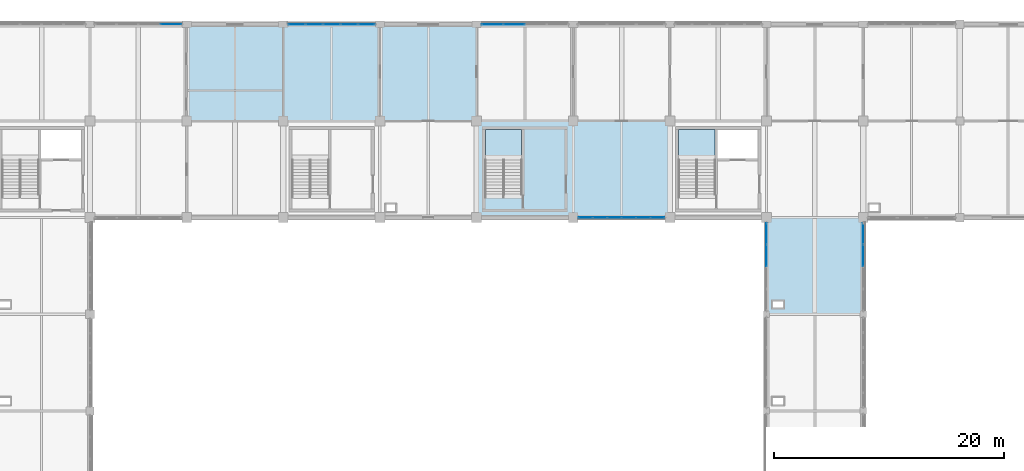
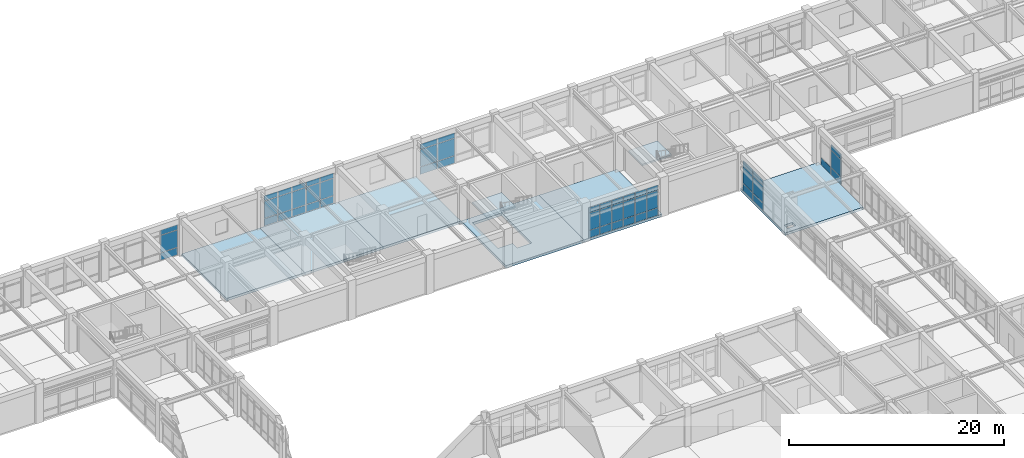
# One storey, part 52 of 78: 52 plates, 8 slabs, 8 elements without a shape of their own.
"""IFC4 building model written with IfcOpenShell, lengths in metres."""

from ifc_helpers import new_model, si_unit, direction, frame, origin, origin_2d, place, context, subcontext, project, spatial, polyline, rectangle, outline, extrude, material, layer, layer_set, type_object, element, aggregate, save


model = new_model("IFC4")

# Units and contexts
model_context = context("Model", 3, precision=1e-05, world=origin(), true_north=direction((0.0, 1.0)))
body_context = subcontext(model_context, "Body", "Model", "MODEL_VIEW")
ifc_project = project(units=[si_unit("LENGTHUNIT", "METRE"), si_unit("AREAUNIT", "SQUARE_METRE"), si_unit("VOLUMEUNIT", "CUBIC_METRE"), si_unit("PLANEANGLEUNIT", "RADIAN"), si_unit("MASSUNIT", "GRAM", prefix="KILO")], contexts=[model_context])

# Site, building, storey
site_placement = place(None, origin())
site = spatial("IfcSite", under=ifc_project, at=site_placement, CompositionType="ELEMENT")
building_placement = place(site_placement, origin())
building = spatial("IfcBuilding", under=site, at=building_placement, Name="Porcellanite Civic Hall", CompositionType="ELEMENT")
storey_placement = place(building_placement, frame((0.0, 0.0, 10.260009765625)))
storey = spatial("IfcBuildingStorey", under=building, at=storey_placement, Name="L02", CompositionType="ELEMENT", Elevation=10.260009765625)

# Curtain wall, plates
ifc_material_1 = material(Name="Anodised aluminium and solar laminated glass", Category="aluminium")
ifc_layer_1 = layer(ifc_material_1, 0.179931640625)
ifc_layer_set_1 = layer_set([ifc_layer_1], Name="Anodised aluminium and solar laminated glass")
curtain_wall_type_1 = type_object("IfcCurtainWallType", Name="CW-SYS06", PredefinedType="NOTDEFINED", material=ifc_layer_set_1)
curtain_wall_1_placement = place(storey_placement, origin())
curtain_wall_1 = element("IfcCurtainWall", 1, at=curtain_wall_1_placement, inside=storey, type_object=curtain_wall_type_1, Name="Curtain wall CW-152", PredefinedType="NOTDEFINED")
ifc_material_2 = material(Name="Cyclone laminated solar-control low-E glass", Category="glass")
ifc_layer_2 = layer(ifc_material_2, 0.028076171875)
ifc_layer_set_2 = layer_set([ifc_layer_2], Name="Cyclone laminated solar-control low-E glass")
plate_type_1 = type_object("IfcPlateType", Name="CWP-03", PredefinedType="CURTAIN_PANEL", material=ifc_layer_set_2)
plate_1_placement = place(storey_placement, frame((65.8330078125, 117.60009765625, 0.0498046875), z_axis=(0.0, 0.0, 1.0), x_axis=(1.0, 0.0, 0.0)))
plate_1 = element("IfcPlate", 2, at=plate_1_placement, type_object=plate_type_1, Name="CW-152 panel 4.1", PredefinedType="CURTAIN_PANEL", context=body_context, shape_type="SweptSolid", body=[
    extrude(rectangle(XDim=1.802001953125, YDim=0.028076171875, at=origin_2d()), origin(), (0.0, 0.0, 1.0), 0.824951171875),
])
plate_2_placement = place(storey_placement, frame((65.8330078125, 117.60009765625, 0.925048828125), z_axis=(0.0, 0.0, 1.0), x_axis=(1.0, 0.0, 0.0)))
plate_2 = element("IfcPlate", 3, at=plate_2_placement, type_object=plate_type_1, Name="CW-152 panel 4.2", PredefinedType="CURTAIN_PANEL", context=body_context, shape_type="SweptSolid", body=[
    extrude(rectangle(XDim=1.802001953125, YDim=0.028076171875, at=origin_2d()), origin(), (0.0, 0.0, 1.0), 1.93994140625),
])
plate_3_placement = place(storey_placement, frame((65.8330078125, 117.60009765625, 2.9150390625), z_axis=(0.0, 0.0, 1.0), x_axis=(1.0, 0.0, 0.0)))
plate_3 = element("IfcPlate", 4, at=plate_3_placement, type_object=plate_type_1, Name="CW-152 panel 4.3", PredefinedType="CURTAIN_PANEL", context=body_context, shape_type="SweptSolid", body=[
    extrude(rectangle(XDim=1.802001953125, YDim=0.028076171875, at=origin_2d()), origin(), (0.0, 0.0, 1.0), 0.574951171875),
])
aggregate(curtain_wall_1, [plate_1, plate_2, plate_3])

ifc_material_3 = material(Name="Anodised aluminium and solar laminated glass", Category="aluminium")
ifc_layer_3 = layer(ifc_material_3, 0.179931640625)
ifc_layer_set_3 = layer_set([ifc_layer_3], Name="Anodised aluminium and solar laminated glass")
curtain_wall_type_2 = type_object("IfcCurtainWallType", Name="CW-SYS01", PredefinedType="NOTDEFINED", material=ifc_layer_set_3)
curtain_wall_2_placement = place(storey_placement, origin())
curtain_wall_2 = element("IfcCurtainWall", 5, at=curtain_wall_2_placement, inside=storey, type_object=curtain_wall_type_2, Name="Curtain wall CW-155", PredefinedType="NOTDEFINED")
ifc_material_4 = material(Name="Cyclone laminated solar-control low-E glass", Category="glass")
ifc_layer_4 = layer(ifc_material_4, 0.033935546875)
ifc_layer_set_4 = layer_set([ifc_layer_4], Name="Cyclone laminated solar-control low-E glass")
plate_type_2 = type_object("IfcPlateType", Name="CWP-06", PredefinedType="CURTAIN_PANEL", material=ifc_layer_set_4)
plate_4_placement = place(storey_placement, frame((76.7783203125, 117.60009765625, 0.06005859375), z_axis=(0.0, 0.0, 1.0), x_axis=(1.0, 0.0, 0.0)))
plate_4 = element("IfcPlate", 6, at=plate_4_placement, type_object=plate_type_2, Name="CW-155 panel 1.1", PredefinedType="CURTAIN_PANEL", context=body_context, shape_type="SweptSolid", body=[
    extrude(rectangle(XDim=1.41455078125, YDim=0.033935546875, at=origin_2d()), origin(), (0.0, 0.0, 1.0), 0.81005859375),
])
plate_5_placement = place(storey_placement, frame((76.7783203125, 117.60009765625, 0.93017578125), z_axis=(0.0, 0.0, 1.0), x_axis=(1.0, 0.0, 0.0)))
plate_5 = element("IfcPlate", 7, at=plate_5_placement, type_object=plate_type_2, Name="CW-155 panel 1.2", PredefinedType="CURTAIN_PANEL", context=body_context, shape_type="SweptSolid", body=[
    extrude(rectangle(XDim=1.41455078125, YDim=0.033935546875, at=origin_2d()), origin(), (0.0, 0.0, 1.0), 1.929931640625),
])
plate_6_placement = place(storey_placement, frame((76.7783203125, 117.60009765625, 2.919921875), z_axis=(0.0, 0.0, 1.0), x_axis=(1.0, 0.0, 0.0)))
plate_6 = element("IfcPlate", 8, at=plate_6_placement, type_object=plate_type_2, Name="CW-155 panel 1.3", PredefinedType="CURTAIN_PANEL", context=body_context, shape_type="SweptSolid", body=[
    extrude(rectangle(XDim=1.41455078125, YDim=0.033935546875, at=origin_2d()), origin(), (0.0, 0.0, 1.0), 0.56005859375),
])
plate_7_placement = place(storey_placement, frame((78.280517578125, 117.60009765625, 0.06005859375), z_axis=(0.0, 0.0, 1.0), x_axis=(1.0, 0.0, 0.0)))
plate_7 = element("IfcPlate", 9, at=plate_7_placement, type_object=plate_type_2, Name="CW-155 panel 2.1", PredefinedType="CURTAIN_PANEL", context=body_context, shape_type="SweptSolid", body=[
    extrude(rectangle(XDim=1.44970703125, YDim=0.033935546875, at=origin_2d()), origin(), (0.0, 0.0, 1.0), 0.81005859375),
])
plate_8_placement = place(storey_placement, frame((78.280517578125, 117.60009765625, 0.93017578125), z_axis=(0.0, 0.0, 1.0), x_axis=(1.0, 0.0, 0.0)))
plate_8 = element("IfcPlate", 10, at=plate_8_placement, type_object=plate_type_2, Name="CW-155 panel 2.2", PredefinedType="CURTAIN_PANEL", context=body_context, shape_type="SweptSolid", body=[
    extrude(rectangle(XDim=1.44970703125, YDim=0.033935546875, at=origin_2d()), origin(), (0.0, 0.0, 1.0), 1.929931640625),
])
plate_9_placement = place(storey_placement, frame((78.280517578125, 117.60009765625, 2.919921875), z_axis=(0.0, 0.0, 1.0), x_axis=(1.0, 0.0, 0.0)))
plate_9 = element("IfcPlate", 11, at=plate_9_placement, type_object=plate_type_2, Name="CW-155 panel 2.3", PredefinedType="CURTAIN_PANEL", context=body_context, shape_type="SweptSolid", body=[
    extrude(rectangle(XDim=1.44970703125, YDim=0.033935546875, at=origin_2d()), origin(), (0.0, 0.0, 1.0), 0.56005859375),
])
plate_10_placement = place(storey_placement, frame((79.800048828125, 117.60009765625, 0.06005859375), z_axis=(0.0, 0.0, 1.0), x_axis=(1.0, 0.0, 0.0)))
plate_10 = element("IfcPlate", 12, at=plate_10_placement, type_object=plate_type_2, Name="CW-155 panel 3.1", PredefinedType="CURTAIN_PANEL", context=body_context, shape_type="SweptSolid", body=[
    extrude(rectangle(XDim=1.44970703125, YDim=0.033935546875, at=origin_2d()), origin(), (0.0, 0.0, 1.0), 0.81005859375),
])
plate_11_placement = place(storey_placement, frame((79.800048828125, 117.60009765625, 0.93017578125), z_axis=(0.0, 0.0, 1.0), x_axis=(1.0, 0.0, 0.0)))
plate_11 = element("IfcPlate", 13, at=plate_11_placement, type_object=plate_type_2, Name="CW-155 panel 3.2", PredefinedType="CURTAIN_PANEL", context=body_context, shape_type="SweptSolid", body=[
    extrude(rectangle(XDim=1.44970703125, YDim=0.033935546875, at=origin_2d()), origin(), (0.0, 0.0, 1.0), 1.929931640625),
])
plate_12_placement = place(storey_placement, frame((79.800048828125, 117.60009765625, 2.919921875), z_axis=(0.0, 0.0, 1.0), x_axis=(1.0, 0.0, 0.0)))
plate_12 = element("IfcPlate", 14, at=plate_12_placement, type_object=plate_type_2, Name="CW-155 panel 3.3", PredefinedType="CURTAIN_PANEL", context=body_context, shape_type="SweptSolid", body=[
    extrude(rectangle(XDim=1.44970703125, YDim=0.033935546875, at=origin_2d()), origin(), (0.0, 0.0, 1.0), 0.56005859375),
])
plate_13_placement = place(storey_placement, frame((81.319580078125, 117.60009765625, 0.06005859375), z_axis=(0.0, 0.0, 1.0), x_axis=(1.0, 0.0, 0.0)))
plate_13 = element("IfcPlate", 15, at=plate_13_placement, type_object=plate_type_2, Name="CW-155 panel 4.1", PredefinedType="CURTAIN_PANEL", context=body_context, shape_type="SweptSolid", body=[
    extrude(rectangle(XDim=1.44970703125, YDim=0.033935546875, at=origin_2d()), origin(), (0.0, 0.0, 1.0), 0.81005859375),
])
plate_14_placement = place(storey_placement, frame((81.319580078125, 117.60009765625, 0.93017578125), z_axis=(0.0, 0.0, 1.0), x_axis=(1.0, 0.0, 0.0)))
plate_14 = element("IfcPlate", 16, at=plate_14_placement, type_object=plate_type_2, Name="CW-155 panel 4.2", PredefinedType="CURTAIN_PANEL", context=body_context, shape_type="SweptSolid", body=[
    extrude(rectangle(XDim=1.44970703125, YDim=0.033935546875, at=origin_2d()), origin(), (0.0, 0.0, 1.0), 1.929931640625),
])
plate_15_placement = place(storey_placement, frame((81.319580078125, 117.60009765625, 2.919921875), z_axis=(0.0, 0.0, 1.0), x_axis=(1.0, 0.0, 0.0)))
plate_15 = element("IfcPlate", 17, at=plate_15_placement, type_object=plate_type_2, Name="CW-155 panel 4.3", PredefinedType="CURTAIN_PANEL", context=body_context, shape_type="SweptSolid", body=[
    extrude(rectangle(XDim=1.44970703125, YDim=0.033935546875, at=origin_2d()), origin(), (0.0, 0.0, 1.0), 0.56005859375),
])
plate_16_placement = place(storey_placement, frame((82.82177734375, 117.60009765625, 0.06005859375), z_axis=(0.0, 0.0, 1.0), x_axis=(1.0, 0.0, 0.0)))
plate_16 = element("IfcPlate", 18, at=plate_16_placement, type_object=plate_type_2, Name="CW-155 panel 5.1", PredefinedType="CURTAIN_PANEL", context=body_context, shape_type="SweptSolid", body=[
    extrude(rectangle(XDim=1.41455078125, YDim=0.033935546875, at=origin_2d()), origin(), (0.0, 0.0, 1.0), 0.81005859375),
])
plate_17_placement = place(storey_placement, frame((82.82177734375, 117.60009765625, 0.93017578125), z_axis=(0.0, 0.0, 1.0), x_axis=(1.0, 0.0, 0.0)))
plate_17 = element("IfcPlate", 19, at=plate_17_placement, type_object=plate_type_2, Name="CW-155 panel 5.2", PredefinedType="CURTAIN_PANEL", context=body_context, shape_type="SweptSolid", body=[
    extrude(rectangle(XDim=1.41455078125, YDim=0.033935546875, at=origin_2d()), origin(), (0.0, 0.0, 1.0), 1.929931640625),
])
plate_18_placement = place(storey_placement, frame((82.82177734375, 117.60009765625, 2.919921875), z_axis=(0.0, 0.0, 1.0), x_axis=(1.0, 0.0, 0.0)))
plate_18 = element("IfcPlate", 20, at=plate_18_placement, type_object=plate_type_2, Name="CW-155 panel 5.3", PredefinedType="CURTAIN_PANEL", context=body_context, shape_type="SweptSolid", body=[
    extrude(rectangle(XDim=1.41455078125, YDim=0.033935546875, at=origin_2d()), origin(), (0.0, 0.0, 1.0), 0.56005859375),
])
aggregate(curtain_wall_2, [plate_4, plate_5, plate_6, plate_7, plate_8, plate_9, plate_10, plate_11, plate_12, plate_13, plate_14, plate_15, plate_16, plate_17, plate_18])

curtain_wall_3_placement = place(storey_placement, origin())
curtain_wall_3 = element("IfcCurtainWall", 21, at=curtain_wall_3_placement, inside=storey, type_object=curtain_wall_type_1, Name="Curtain wall CW-158", PredefinedType="NOTDEFINED")
ifc_material_5 = material(Name="Insulated ochre aluminium spandrel panel", Category="aluminium")
ifc_layer_5 = layer(ifc_material_5, 0.0419921875)
ifc_layer_set_5 = layer_set([ifc_layer_5], Name="Insulated ochre aluminium spandrel panel")
plate_type_3 = type_object("IfcPlateType", Name="CWP-09", PredefinedType="CURTAIN_PANEL", material=ifc_layer_set_5)
plate_19_placement = place(storey_placement, frame((93.76708984375, 117.60009765625, 0.0498046875), z_axis=(0.0, 0.0, 1.0), x_axis=(1.0, 0.0, 0.0)))
plate_19 = element("IfcPlate", 22, at=plate_19_placement, type_object=plate_type_3, Name="CW-158 panel 1.1", PredefinedType="CURTAIN_PANEL", context=body_context, shape_type="SweptSolid", body=[
    extrude(rectangle(XDim=1.802001953125, YDim=0.0419921875, at=origin_2d()), origin(), (0.0, 0.0, 1.0), 0.824951171875),
])
plate_20_placement = place(storey_placement, frame((93.76708984375, 117.60009765625, 0.925048828125), z_axis=(0.0, 0.0, 1.0), x_axis=(1.0, 0.0, 0.0)))
plate_20 = element("IfcPlate", 23, at=plate_20_placement, type_object=plate_type_3, Name="CW-158 panel 1.2", PredefinedType="CURTAIN_PANEL", context=body_context, shape_type="SweptSolid", body=[
    extrude(rectangle(XDim=1.802001953125, YDim=0.0419921875, at=origin_2d()), origin(), (0.0, 0.0, 1.0), 1.93994140625),
])
plate_21_placement = place(storey_placement, frame((93.76708984375, 117.60009765625, 2.9150390625), z_axis=(0.0, 0.0, 1.0), x_axis=(1.0, 0.0, 0.0)))
plate_21 = element("IfcPlate", 24, at=plate_21_placement, type_object=plate_type_3, Name="CW-158 panel 1.3", PredefinedType="CURTAIN_PANEL", context=body_context, shape_type="SweptSolid", body=[
    extrude(rectangle(XDim=1.802001953125, YDim=0.0419921875, at=origin_2d()), origin(), (0.0, 0.0, 1.0), 0.574951171875),
])
plate_22_placement = place(storey_placement, frame((95.650146484375, 117.60009765625, 0.0498046875), z_axis=(0.0, 0.0, 1.0), x_axis=(1.0, 0.0, 0.0)))
plate_22 = element("IfcPlate", 25, at=plate_22_placement, type_object=plate_type_3, Name="CW-158 panel 2.1", PredefinedType="CURTAIN_PANEL", context=body_context, shape_type="SweptSolid", body=[
    extrude(rectangle(XDim=1.83447265625, YDim=0.0419921875, at=origin_2d()), origin(), (0.0, 0.0, 1.0), 0.824951171875),
])
plate_23_placement = place(storey_placement, frame((95.650146484375, 117.60009765625, 0.925048828125), z_axis=(0.0, 0.0, 1.0), x_axis=(1.0, 0.0, 0.0)))
plate_23 = element("IfcPlate", 26, at=plate_23_placement, type_object=plate_type_3, Name="CW-158 panel 2.2", PredefinedType="CURTAIN_PANEL", context=body_context, shape_type="SweptSolid", body=[
    extrude(rectangle(XDim=1.83447265625, YDim=0.0419921875, at=origin_2d()), origin(), (0.0, 0.0, 1.0), 1.93994140625),
])
plate_24_placement = place(storey_placement, frame((95.650146484375, 117.60009765625, 2.9150390625), z_axis=(0.0, 0.0, 1.0), x_axis=(1.0, 0.0, 0.0)))
plate_24 = element("IfcPlate", 27, at=plate_24_placement, type_object=plate_type_3, Name="CW-158 panel 2.3", PredefinedType="CURTAIN_PANEL", context=body_context, shape_type="SweptSolid", body=[
    extrude(rectangle(XDim=1.83447265625, YDim=0.0419921875, at=origin_2d()), origin(), (0.0, 0.0, 1.0), 0.574951171875),
])
aggregate(curtain_wall_3, [plate_19, plate_20, plate_21, plate_22, plate_23, plate_24])

ifc_material_6 = material(Name="Anodised aluminium and solar laminated glass", Category="aluminium")
ifc_layer_6 = layer(ifc_material_6, 0.179931640625)
ifc_layer_set_6 = layer_set([ifc_layer_6], Name="Anodised aluminium and solar laminated glass")
curtain_wall_type_3 = type_object("IfcCurtainWallType", Name="CW-SYS03", PredefinedType="NOTDEFINED", material=ifc_layer_set_6)
curtain_wall_4_placement = place(storey_placement, origin())
curtain_wall_4 = element("IfcCurtainWall", 28, at=curtain_wall_4_placement, inside=storey, type_object=curtain_wall_type_3, Name="Curtain wall CW-168", PredefinedType="NOTDEFINED")
plate_25_placement = place(storey_placement, frame((117.60009765625, 97.4873046875, 0.054931640625), z_axis=(0.0, 0.0, 1.0), x_axis=(0.0, 1.0, 0.0)))
plate_25 = element("IfcPlate", 29, at=plate_25_placement, type_object=plate_type_3, Name="CW-168 panel 3.1", PredefinedType="CURTAIN_PANEL", context=body_context, shape_type="SweptSolid", body=[
    extrude(rectangle(XDim=1.844482421875, YDim=0.0419921875, at=origin_2d()), origin(), (0.0, 0.0, 1.0), 0.8173828125),
])
plate_26_placement = place(storey_placement, frame((117.60009765625, 97.4873046875, 0.927490234375), z_axis=(0.0, 0.0, 1.0), x_axis=(0.0, 1.0, 0.0)))
plate_26 = element("IfcPlate", 30, at=plate_26_placement, type_object=plate_type_3, Name="CW-168 panel 3.2", PredefinedType="CURTAIN_PANEL", context=body_context, shape_type="SweptSolid", body=[
    extrude(rectangle(XDim=1.844482421875, YDim=0.0419921875, at=origin_2d()), origin(), (0.0, 0.0, 1.0), 1.93505859375),
])
plate_27_placement = place(storey_placement, frame((117.60009765625, 97.4873046875, 2.91748046875), z_axis=(0.0, 0.0, 1.0), x_axis=(0.0, 1.0, 0.0)))
plate_27 = element("IfcPlate", 31, at=plate_27_placement, type_object=plate_type_3, Name="CW-168 panel 3.3", PredefinedType="CURTAIN_PANEL", context=body_context, shape_type="SweptSolid", body=[
    extrude(rectangle(XDim=1.844482421875, YDim=0.0419921875, at=origin_2d()), origin(), (0.0, 0.0, 1.0), 0.5673828125),
])
plate_28_placement = place(storey_placement, frame((117.60009765625, 99.391845703125, 0.054931640625), z_axis=(0.0, 0.0, 1.0), x_axis=(0.0, 1.0, 0.0)))
plate_28 = element("IfcPlate", 32, at=plate_28_placement, type_object=plate_type_3, Name="CW-168 panel 4.1", PredefinedType="CURTAIN_PANEL", context=body_context, shape_type="SweptSolid", body=[
    extrude(rectangle(XDim=1.804443359375, YDim=0.0419921875, at=origin_2d()), origin(), (0.0, 0.0, 1.0), 0.8173828125),
])
plate_29_placement = place(storey_placement, frame((117.60009765625, 99.391845703125, 0.927490234375), z_axis=(0.0, 0.0, 1.0), x_axis=(0.0, 1.0, 0.0)))
plate_29 = element("IfcPlate", 33, at=plate_29_placement, type_object=plate_type_3, Name="CW-168 panel 4.2", PredefinedType="CURTAIN_PANEL", context=body_context, shape_type="SweptSolid", body=[
    extrude(rectangle(XDim=1.804443359375, YDim=0.0419921875, at=origin_2d()), origin(), (0.0, 0.0, 1.0), 1.93505859375),
])
plate_30_placement = place(storey_placement, frame((117.60009765625, 99.391845703125, 2.91748046875), z_axis=(0.0, 0.0, 1.0), x_axis=(0.0, 1.0, 0.0)))
plate_30 = element("IfcPlate", 34, at=plate_30_placement, type_object=plate_type_3, Name="CW-168 panel 4.3", PredefinedType="CURTAIN_PANEL", context=body_context, shape_type="SweptSolid", body=[
    extrude(rectangle(XDim=1.804443359375, YDim=0.0419921875, at=origin_2d()), origin(), (0.0, 0.0, 1.0), 0.5673828125),
])
aggregate(curtain_wall_4, [plate_25, plate_26, plate_27, plate_28, plate_29, plate_30])

ifc_material_7 = material(Name="Anodised aluminium and solar laminated glass", Category="aluminium")
ifc_layer_7 = layer(ifc_material_7, 0.179931640625)
ifc_layer_set_7 = layer_set([ifc_layer_7], Name="Anodised aluminium and solar laminated glass")
curtain_wall_type_4 = type_object("IfcCurtainWallType", Name="CW-SYS07", PredefinedType="NOTDEFINED", material=ifc_layer_set_7)
curtain_wall_5_placement = place(storey_placement, origin())
curtain_wall_5 = element("IfcCurtainWall", 35, at=curtain_wall_5_placement, inside=storey, type_object=curtain_wall_type_4, Name="Curtain wall CW-159", PredefinedType="NOTDEFINED")
ifc_material_8 = material(Name="Insulated ochre aluminium spandrel panel", Category="aluminium")
ifc_layer_8 = layer(ifc_material_8, 0.0458984375)
ifc_layer_set_8 = layer_set([ifc_layer_8], Name="Insulated ochre aluminium spandrel panel")
plate_type_4 = type_object("IfcPlateType", Name="CWP-10", PredefinedType="CURTAIN_PANEL", material=ifc_layer_set_8)
plate_31_placement = place(storey_placement, frame((108.1298828125, 100.800048828125, 0.0498046875), z_axis=(0.0, 0.0, 1.0), x_axis=(-1.0, 0.0, 0.0)))
plate_31 = element("IfcPlate", 36, at=plate_31_placement, type_object=plate_type_4, Name="CW-159 panel 1.1", PredefinedType="CURTAIN_PANEL", context=body_context, shape_type="SweptSolid", body=[
    extrude(rectangle(XDim=1.16796875, YDim=0.0458984375, at=origin_2d()), origin(), (0.0, 0.0, 1.0), 0.824951171875),
])
plate_32_placement = place(storey_placement, frame((108.1298828125, 100.800048828125, 0.925048828125), z_axis=(0.0, 0.0, 1.0), x_axis=(-1.0, 0.0, 0.0)))
plate_32 = element("IfcPlate", 37, at=plate_32_placement, type_object=plate_type_4, Name="CW-159 panel 1.2", PredefinedType="CURTAIN_PANEL", context=body_context, shape_type="SweptSolid", body=[
    extrude(rectangle(XDim=1.16796875, YDim=0.0458984375, at=origin_2d()), origin(), (0.0, 0.0, 1.0), 1.93994140625),
])
plate_33_placement = place(storey_placement, frame((108.1298828125, 100.800048828125, 2.9150390625), z_axis=(0.0, 0.0, 1.0), x_axis=(-1.0, 0.0, 0.0)))
plate_33 = element("IfcPlate", 38, at=plate_33_placement, type_object=plate_type_4, Name="CW-159 panel 1.3", PredefinedType="CURTAIN_PANEL", context=body_context, shape_type="SweptSolid", body=[
    extrude(rectangle(XDim=1.16796875, YDim=0.0458984375, at=origin_2d()), origin(), (0.0, 0.0, 1.0), 0.574951171875),
])
plate_34_placement = place(storey_placement, frame((106.886962890625, 100.800048828125, 0.0498046875), z_axis=(0.0, 0.0, 1.0), x_axis=(-1.0, 0.0, 0.0)))
plate_34 = element("IfcPlate", 39, at=plate_34_placement, type_object=plate_type_4, Name="CW-159 panel 2.1", PredefinedType="CURTAIN_PANEL", context=body_context, shape_type="SweptSolid", body=[
    extrude(rectangle(XDim=1.197998046875, YDim=0.0458984375, at=origin_2d()), origin(), (0.0, 0.0, 1.0), 0.824951171875),
])
plate_35_placement = place(storey_placement, frame((106.886962890625, 100.800048828125, 0.925048828125), z_axis=(0.0, 0.0, 1.0), x_axis=(-1.0, 0.0, 0.0)))
plate_35 = element("IfcPlate", 40, at=plate_35_placement, type_object=plate_type_4, Name="CW-159 panel 2.2", PredefinedType="CURTAIN_PANEL", context=body_context, shape_type="SweptSolid", body=[
    extrude(rectangle(XDim=1.197998046875, YDim=0.0458984375, at=origin_2d()), origin(), (0.0, 0.0, 1.0), 1.93994140625),
])
plate_36_placement = place(storey_placement, frame((106.886962890625, 100.800048828125, 2.9150390625), z_axis=(0.0, 0.0, 1.0), x_axis=(-1.0, 0.0, 0.0)))
plate_36 = element("IfcPlate", 41, at=plate_36_placement, type_object=plate_type_4, Name="CW-159 panel 2.3", PredefinedType="CURTAIN_PANEL", context=body_context, shape_type="SweptSolid", body=[
    extrude(rectangle(XDim=1.197998046875, YDim=0.0458984375, at=origin_2d()), origin(), (0.0, 0.0, 1.0), 0.574951171875),
])
plate_37_placement = place(storey_placement, frame((105.62890625, 100.800048828125, 0.0498046875), z_axis=(0.0, 0.0, 1.0), x_axis=(-1.0, 0.0, 0.0)))
plate_37 = element("IfcPlate", 42, at=plate_37_placement, type_object=plate_type_4, Name="CW-159 panel 3.1", PredefinedType="CURTAIN_PANEL", context=body_context, shape_type="SweptSolid", body=[
    extrude(rectangle(XDim=1.197998046875, YDim=0.0458984375, at=origin_2d()), origin(), (0.0, 0.0, 1.0), 0.824951171875),
])
plate_38_placement = place(storey_placement, frame((105.62890625, 100.800048828125, 0.925048828125), z_axis=(0.0, 0.0, 1.0), x_axis=(-1.0, 0.0, 0.0)))
plate_38 = element("IfcPlate", 43, at=plate_38_placement, type_object=plate_type_4, Name="CW-159 panel 3.2", PredefinedType="CURTAIN_PANEL", context=body_context, shape_type="SweptSolid", body=[
    extrude(rectangle(XDim=1.197998046875, YDim=0.0458984375, at=origin_2d()), origin(), (0.0, 0.0, 1.0), 1.93994140625),
])
plate_39_placement = place(storey_placement, frame((105.62890625, 100.800048828125, 2.9150390625), z_axis=(0.0, 0.0, 1.0), x_axis=(-1.0, 0.0, 0.0)))
plate_39 = element("IfcPlate", 44, at=plate_39_placement, type_object=plate_type_4, Name="CW-159 panel 3.3", PredefinedType="CURTAIN_PANEL", context=body_context, shape_type="SweptSolid", body=[
    extrude(rectangle(XDim=1.197998046875, YDim=0.0458984375, at=origin_2d()), origin(), (0.0, 0.0, 1.0), 0.574951171875),
])
plate_40_placement = place(storey_placement, frame((104.37109375, 100.800048828125, 0.0498046875), z_axis=(0.0, 0.0, 1.0), x_axis=(-1.0, 0.0, 0.0)))
plate_40 = element("IfcPlate", 45, at=plate_40_placement, type_object=plate_type_4, Name="CW-159 panel 4.1", PredefinedType="CURTAIN_PANEL", context=body_context, shape_type="SweptSolid", body=[
    extrude(rectangle(XDim=1.197998046875, YDim=0.0458984375, at=origin_2d()), origin(), (0.0, 0.0, 1.0), 0.824951171875),
])
plate_41_placement = place(storey_placement, frame((104.37109375, 100.800048828125, 0.925048828125), z_axis=(0.0, 0.0, 1.0), x_axis=(-1.0, 0.0, 0.0)))
plate_41 = element("IfcPlate", 46, at=plate_41_placement, type_object=plate_type_4, Name="CW-159 panel 4.2", PredefinedType="CURTAIN_PANEL", context=body_context, shape_type="SweptSolid", body=[
    extrude(rectangle(XDim=1.197998046875, YDim=0.0458984375, at=origin_2d()), origin(), (0.0, 0.0, 1.0), 1.93994140625),
])
plate_42_placement = place(storey_placement, frame((104.37109375, 100.800048828125, 2.9150390625), z_axis=(0.0, 0.0, 1.0), x_axis=(-1.0, 0.0, 0.0)))
plate_42 = element("IfcPlate", 47, at=plate_42_placement, type_object=plate_type_4, Name="CW-159 panel 4.3", PredefinedType="CURTAIN_PANEL", context=body_context, shape_type="SweptSolid", body=[
    extrude(rectangle(XDim=1.197998046875, YDim=0.0458984375, at=origin_2d()), origin(), (0.0, 0.0, 1.0), 0.574951171875),
])
plate_43_placement = place(storey_placement, frame((103.113037109375, 100.800048828125, 0.0498046875), z_axis=(0.0, 0.0, 1.0), x_axis=(-1.0, 0.0, 0.0)))
plate_43 = element("IfcPlate", 48, at=plate_43_placement, type_object=plate_type_4, Name="CW-159 panel 5.1", PredefinedType="CURTAIN_PANEL", context=body_context, shape_type="SweptSolid", body=[
    extrude(rectangle(XDim=1.197998046875, YDim=0.0458984375, at=origin_2d()), origin(), (0.0, 0.0, 1.0), 0.824951171875),
])
plate_44_placement = place(storey_placement, frame((103.113037109375, 100.800048828125, 0.925048828125), z_axis=(0.0, 0.0, 1.0), x_axis=(-1.0, 0.0, 0.0)))
plate_44 = element("IfcPlate", 49, at=plate_44_placement, type_object=plate_type_4, Name="CW-159 panel 5.2", PredefinedType="CURTAIN_PANEL", context=body_context, shape_type="SweptSolid", body=[
    extrude(rectangle(XDim=1.197998046875, YDim=0.0458984375, at=origin_2d()), origin(), (0.0, 0.0, 1.0), 1.93994140625),
])
plate_45_placement = place(storey_placement, frame((103.113037109375, 100.800048828125, 2.9150390625), z_axis=(0.0, 0.0, 1.0), x_axis=(-1.0, 0.0, 0.0)))
plate_45 = element("IfcPlate", 50, at=plate_45_placement, type_object=plate_type_4, Name="CW-159 panel 5.3", PredefinedType="CURTAIN_PANEL", context=body_context, shape_type="SweptSolid", body=[
    extrude(rectangle(XDim=1.197998046875, YDim=0.0458984375, at=origin_2d()), origin(), (0.0, 0.0, 1.0), 0.574951171875),
])
plate_46_placement = place(storey_placement, frame((101.8701171875, 100.800048828125, 0.0498046875), z_axis=(0.0, 0.0, 1.0), x_axis=(-1.0, 0.0, 0.0)))
plate_46 = element("IfcPlate", 51, at=plate_46_placement, type_object=plate_type_4, Name="CW-159 panel 6.1", PredefinedType="CURTAIN_PANEL", context=body_context, shape_type="SweptSolid", body=[
    extrude(rectangle(XDim=1.16796875, YDim=0.0458984375, at=origin_2d()), origin(), (0.0, 0.0, 1.0), 0.824951171875),
])
plate_47_placement = place(storey_placement, frame((101.8701171875, 100.800048828125, 0.925048828125), z_axis=(0.0, 0.0, 1.0), x_axis=(-1.0, 0.0, 0.0)))
plate_47 = element("IfcPlate", 52, at=plate_47_placement, type_object=plate_type_4, Name="CW-159 panel 6.2", PredefinedType="CURTAIN_PANEL", context=body_context, shape_type="SweptSolid", body=[
    extrude(rectangle(XDim=1.16796875, YDim=0.0458984375, at=origin_2d()), origin(), (0.0, 0.0, 1.0), 1.93994140625),
])
plate_48_placement = place(storey_placement, frame((101.8701171875, 100.800048828125, 2.9150390625), z_axis=(0.0, 0.0, 1.0), x_axis=(-1.0, 0.0, 0.0)))
plate_48 = element("IfcPlate", 53, at=plate_48_placement, type_object=plate_type_4, Name="CW-159 panel 6.3", PredefinedType="CURTAIN_PANEL", context=body_context, shape_type="SweptSolid", body=[
    extrude(rectangle(XDim=1.16796875, YDim=0.0458984375, at=origin_2d()), origin(), (0.0, 0.0, 1.0), 0.574951171875),
])
aggregate(curtain_wall_5, [plate_31, plate_32, plate_33, plate_34, plate_35, plate_36, plate_37, plate_38, plate_39, plate_40, plate_41, plate_42, plate_43, plate_44, plate_45, plate_46, plate_47, plate_48])

ifc_material_9 = material(Name="Anodised aluminium and solar laminated glass", Category="aluminium")
ifc_layer_9 = layer(ifc_material_9, 0.179931640625)
ifc_layer_set_9 = layer_set([ifc_layer_9], Name="Anodised aluminium and solar laminated glass")
curtain_wall_type_5 = type_object("IfcCurtainWallType", Name="CW-SYS04", PredefinedType="NOTDEFINED", material=ifc_layer_set_9)
curtain_wall_6_placement = place(storey_placement, origin())
curtain_wall_6 = element("IfcCurtainWall", 54, at=curtain_wall_6_placement, inside=storey, type_object=curtain_wall_type_5, Name="Curtain wall CW-169", PredefinedType="NOTDEFINED")
plate_49_placement = place(storey_placement, frame((126.0, 99.39306640625, 0.054931640625), z_axis=(0.0, 0.0, 1.0), x_axis=(0.0, -1.0, 0.0)))
plate_49 = element("IfcPlate", 55, at=plate_49_placement, type_object=plate_type_4, Name="CW-169 panel 1.1", PredefinedType="CURTAIN_PANEL", context=body_context, shape_type="SweptSolid", body=[
    extrude(rectangle(XDim=1.81201171875, YDim=0.0458984375, at=origin_2d()), origin(), (0.0, 0.0, 1.0), 0.8173828125),
])
plate_50_placement = place(storey_placement, frame((126.0, 97.4873046875, 0.054931640625), z_axis=(0.0, 0.0, 1.0), x_axis=(0.0, -1.0, 0.0)))
plate_50 = element("IfcPlate", 56, at=plate_50_placement, type_object=plate_type_4, Name="CW-169 panel 2.1", PredefinedType="CURTAIN_PANEL", context=body_context, shape_type="SweptSolid", body=[
    extrude(rectangle(XDim=1.849609375, YDim=0.0458984375, at=origin_2d()), origin(), (0.0, 0.0, 1.0), 0.8173828125),
])
plate_51_placement = place(storey_placement, frame((126.0, 97.4873046875, 0.927490234375), z_axis=(0.0, 0.0, 1.0), x_axis=(0.0, -1.0, 0.0)))
plate_51 = element("IfcPlate", 57, at=plate_51_placement, type_object=plate_type_4, Name="CW-169 panel 2.2", PredefinedType="CURTAIN_PANEL", context=body_context, shape_type="SweptSolid", body=[
    extrude(rectangle(XDim=1.849609375, YDim=0.0458984375, at=origin_2d()), origin(), (0.0, 0.0, 1.0), 1.93505859375),
])
plate_52_placement = place(storey_placement, frame((126.0, 97.4873046875, 2.91748046875), z_axis=(0.0, 0.0, 1.0), x_axis=(0.0, -1.0, 0.0)))
plate_52 = element("IfcPlate", 58, at=plate_52_placement, type_object=plate_type_4, Name="CW-169 panel 2.3", PredefinedType="CURTAIN_PANEL", context=body_context, shape_type="SweptSolid", body=[
    extrude(rectangle(XDim=1.849609375, YDim=0.0458984375, at=origin_2d()), origin(), (0.0, 0.0, 1.0), 0.5673828125),
])
aggregate(curtain_wall_6, [plate_49, plate_50, plate_51, plate_52])

# Stair, slab
ifc_material_10 = material(Name="Concrete N40 (40 MPa)", Category="concrete")
stair_type = type_object("IfcStairType", Name="STR-HT25", PredefinedType="HALF_TURN_STAIR", material=ifc_material_10)
stair_1_placement = place(storey_placement, origin())
stair_1 = element("IfcStair", 59, at=stair_1_placement, inside=storey, type_object=stair_type, Name="Fire stair ST-04 L02", PredefinedType="HALF_TURN_STAIR")
ifc_material_11 = material(Name="Concrete N40 (40 MPa)", Category="concrete")
ifc_layer_10 = layer(ifc_material_11, 0.179931640625)
ifc_layer_set_10 = layer_set([ifc_layer_10], Name="Concrete N40 (40 MPa)")
slab_type_1 = type_object("IfcSlabType", Name="LND-18", PredefinedType="LANDING", material=ifc_layer_set_10)
slab_1_placement = place(storey_placement, frame((0.0, 0.0, 2.159912109375)))
slab_1 = element("IfcSlab", 60, at=slab_1_placement, type_object=slab_type_1, Name="ST-04 landing 1", PredefinedType="LANDING", context=body_context, shape_type="SweptSolid", body=[
    extrude(outline(polyline([(109.96044921875, 105.824951171875), (113.119384765625, 105.824951171875), (113.119384765625, 108.439453125), (109.96044921875, 108.439453125), (109.96044921875, 105.824951171875)])), origin(), (0.0, 0.0, 1.0), 0.18017578125),
])
aggregate(stair_1, [slab_1])

stair_2_placement = place(storey_placement, origin())
stair_2 = element("IfcStair", 61, at=stair_2_placement, inside=storey, type_object=stair_type, Name="Fire stair ST-10 L02", PredefinedType="HALF_TURN_STAIR")
slab_2_placement = place(storey_placement, frame((0.0, 0.0, 2.159912109375)))
slab_2 = element("IfcSlab", 62, at=slab_2_placement, type_object=slab_type_1, Name="ST-10 landing 1", PredefinedType="LANDING", context=body_context, shape_type="SweptSolid", body=[
    extrude(outline(polyline([(93.160400390625, 105.824951171875), (96.319580078125, 105.824951171875), (96.319580078125, 108.439453125), (93.160400390625, 108.439453125), (93.160400390625, 105.824951171875)])), origin(), (0.0, 0.0, 1.0), 0.18017578125),
])
aggregate(stair_2, [slab_2])

# Slabs
ifc_material_12 = material(Name="Concrete N40 (40 MPa)", Category="concrete")
ifc_layer_11 = layer(ifc_material_12, 0.280029296875)
ifc_layer_set_11 = layer_set([ifc_layer_11], Name="Concrete N40 (40 MPa)")
slab_type_2 = type_object("IfcSlabType", Name="SL-FL280", PredefinedType="FLOOR", material=ifc_layer_set_11)
slab_3_placement = place(storey_placement, frame((0.0, 0.0, -0.280029296875)))
element("IfcSlab", 63, at=slab_3_placement, inside=storey, type_object=slab_type_2, Name="Slab L02 bay 9-14", PredefinedType="FLOOR", context=body_context, shape_type="SweptSolid", body=[
    extrude(outline(polyline([(67.199951171875, 109.199951171875), (75.60009765625, 109.199951171875), (75.60009765625, 117.60009765625), (67.199951171875, 117.60009765625), (67.199951171875, 109.199951171875)])), origin(), (0.0, 0.0, 1.0), 0.280029296875),
])
slab_4_placement = place(storey_placement, frame((0.0, 0.0, -0.280029296875)))
element("IfcSlab", 64, at=slab_4_placement, inside=storey, type_object=slab_type_2, Name="Slab L02 bay 10-14", PredefinedType="FLOOR", context=body_context, shape_type="SweptSolid", body=[
    extrude(outline(polyline([(75.60009765625, 109.199951171875), (84.0, 109.199951171875), (84.0, 117.60009765625), (75.60009765625, 117.60009765625), (75.60009765625, 109.199951171875)])), origin(), (0.0, 0.0, 1.0), 0.280029296875),
])
slab_5_placement = place(storey_placement, frame((0.0, 0.0, -0.280029296875)))
element("IfcSlab", 65, at=slab_5_placement, inside=storey, type_object=slab_type_2, Name="Slab L02 bay 11-14", PredefinedType="FLOOR", context=body_context, shape_type="SweptSolid", body=[
    extrude(outline(polyline([(84.0, 109.199951171875), (92.39990234375, 109.199951171875), (92.39990234375, 117.60009765625), (84.0, 117.60009765625), (84.0, 109.199951171875)])), origin(), (0.0, 0.0, 1.0), 0.280029296875),
])
slab_6_placement = place(storey_placement, frame((0.0, 0.0, -0.280029296875)))
element("IfcSlab", 66, at=slab_6_placement, inside=storey, type_object=slab_type_2, Name="Slab L02 bay 12-13", PredefinedType="FLOOR", context=body_context, shape_type="SweptSolid", body=[
    extrude(outline(polyline([(92.39990234375, 100.800048828125), (100.800048828125, 100.800048828125), (100.800048828125, 109.199951171875), (92.39990234375, 109.199951171875), (92.39990234375, 100.800048828125)]), holes=[polyline([(93.179931640625, 103.64990234375), (94.760009765625, 103.64990234375), (94.760009765625, 102.800048828125), (96.320068359375, 102.800048828125), (96.320068359375, 108.419921875), (93.179931640625, 108.419921875), (93.179931640625, 103.64990234375)])]), origin(), (0.0, 0.0, 1.0), 0.280029296875),
])
slab_7_placement = place(storey_placement, frame((0.0, 0.0, -0.280029296875)))
element("IfcSlab", 67, at=slab_7_placement, inside=storey, type_object=slab_type_2, Name="Slab L02 bay 13-13", PredefinedType="FLOOR", context=body_context, shape_type="SweptSolid", body=[
    extrude(outline(polyline([(100.800048828125, 100.800048828125), (109.199951171875, 100.800048828125), (109.199951171875, 109.199951171875), (100.800048828125, 109.199951171875), (100.800048828125, 100.800048828125)])), origin(), (0.0, 0.0, 1.0), 0.280029296875),
])
slab_8_placement = place(storey_placement, frame((0.0, 0.0, -0.280029296875)))
element("IfcSlab", 68, at=slab_8_placement, inside=storey, type_object=slab_type_2, Name="Slab L02 bay 15-12", PredefinedType="FLOOR", context=body_context, shape_type="SweptSolid", body=[
    extrude(outline(polyline([(117.60009765625, 92.39990234375), (126.0, 92.39990234375), (126.0, 100.800048828125), (117.60009765625, 100.800048828125), (117.60009765625, 92.39990234375)]), holes=[polyline([(118.14990234375, 92.949951171875), (119.050048828125, 92.949951171875), (119.050048828125, 93.550048828125), (118.14990234375, 93.550048828125), (118.14990234375, 92.949951171875)])]), origin(), (0.0, 0.0, 1.0), 0.280029296875),
])

save(model, "model.ifc")
